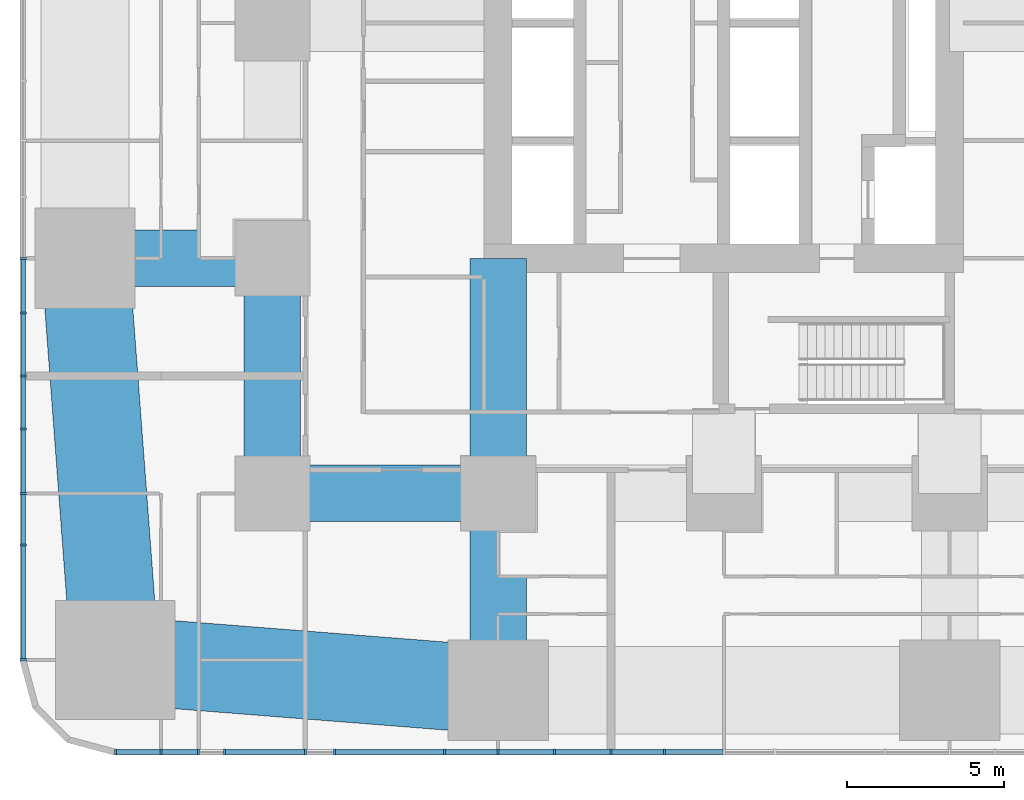
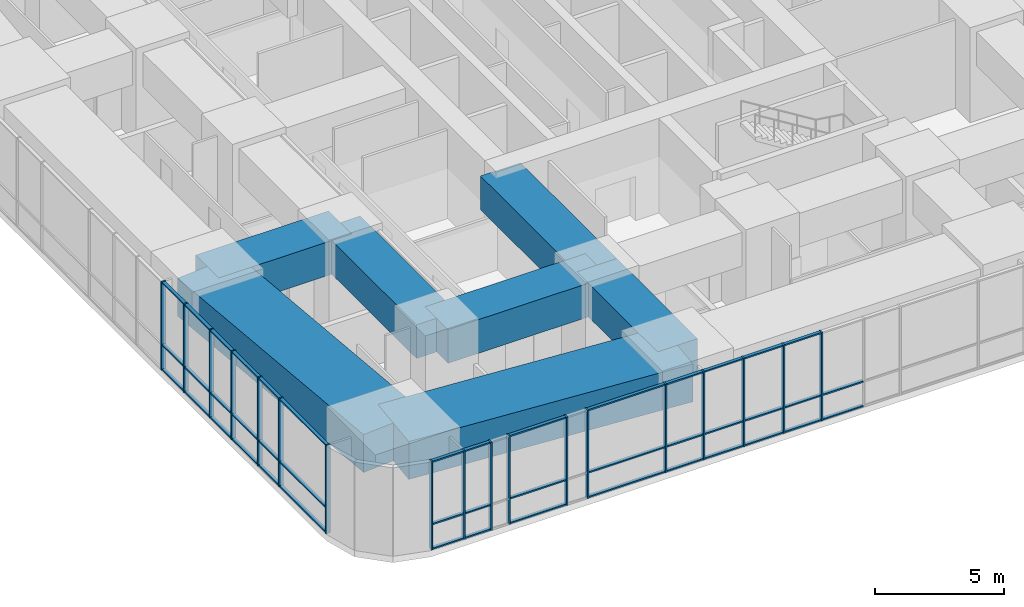
# One storey, part 2 of 22: 62 members, 7 beams, 2 elements without a shape of their own.
"""IFC4 building model written with IfcOpenShell, lengths in metres."""

from ifc_helpers import new_model, si_unit, direction, frame, origin, origin_2d, place, context, subcontext, project, spatial, rectangle, extrude, material, material_profile, profile_set, type_object, element, aggregate, save


model = new_model("IFC4")

# Units and contexts
model_context = context("Model", 3, precision=1e-05, world=origin(), true_north=direction((0.0, 1.0)))
body_context = subcontext(model_context, "Body", "Model", "MODEL_VIEW")
ifc_project = project(units=[si_unit("LENGTHUNIT", "METRE"), si_unit("AREAUNIT", "SQUARE_METRE"), si_unit("VOLUMEUNIT", "CUBIC_METRE"), si_unit("PLANEANGLEUNIT", "RADIAN"), si_unit("MASSUNIT", "GRAM", prefix="KILO")], contexts=[model_context])

# Site, building, storey
site_placement = place(None, origin())
site = spatial("IfcSite", under=ifc_project, at=site_placement, CompositionType="ELEMENT")
building_placement = place(site_placement, origin())
building = spatial("IfcBuilding", under=site, at=building_placement, Name="Sheger Commons Tower", CompositionType="ELEMENT")
storey_placement = place(building_placement, frame((0.0, 0.0, 10.10009765625)))
storey = spatial("IfcBuildingStorey", under=building, at=storey_placement, Name="L02", CompositionType="ELEMENT", Elevation=10.10009765625)

# Beams
ifc_material_1 = material(Name="Concrete C50/60", Category="concrete")
ifc_material_profile_1 = material_profile(ifc_material_1, rectangle(XDim=1.800048828125, YDim=1.60009765625, at=origin_2d()), Name="RC 1800x1600")
ifc_profile_set_1 = profile_set([ifc_material_profile_1], Name="Concrete C50/60")
beam_type_1 = type_object("IfcBeamType", Name="BEAM RC 1800x1600", PredefinedType="BEAM", material=ifc_profile_set_1)
beam_1_placement = place(storey_placement, frame((7.199951171875, 7.5, 3.39990234375), z_axis=(1.0, 0.0, 0.0), x_axis=(0.0, 1.0, 0.0)))
element("IfcBeam", 1, at=beam_1_placement, inside=storey, type_object=beam_type_1, Name="Beam 2/B-3/B under L03", PredefinedType="BEAM", context=body_context, shape_type="SweptSolid", body=[
    extrude(rectangle(XDim=1.800048828125, YDim=1.60009765625, at=origin_2d()), origin(), (0.0, 0.0, 1.0), 7.199951171875),
])
beam_2_placement = place(storey_placement, frame((1.22509765625, 15.0, 3.39990234375), z_axis=(1.0, 0.0, 0.0), x_axis=(0.0, 1.0, 0.0)))
element("IfcBeam", 2, at=beam_2_placement, inside=storey, type_object=beam_type_1, Name="Beam 1/C-2/C under L03", PredefinedType="BEAM", context=body_context, shape_type="SweptSolid", body=[
    extrude(rectangle(XDim=1.800048828125, YDim=1.60009765625, at=origin_2d()), origin(), (0.0, 0.0, 1.0), 5.974853515625),
])
beam_3_placement = place(storey_placement, frame((7.199951171875, 7.5, 3.39990234375), z_axis=(0.0, 1.0, 0.0), x_axis=(-1.0, 0.0, 0.0)))
element("IfcBeam", 3, at=beam_3_placement, inside=storey, type_object=beam_type_1, Name="Beam 2/B-2/C under L03", PredefinedType="BEAM", context=body_context, shape_type="SweptSolid", body=[
    extrude(rectangle(XDim=1.800048828125, YDim=1.60009765625, at=origin_2d()), origin(), (0.0, 0.0, 1.0), 7.5),
])
beam_4_placement = place(storey_placement, frame((14.39990234375, 1.22509765625, 3.39990234375), z_axis=(0.0, 1.0, 0.0), x_axis=(-1.0, 0.0, 0.0)))
element("IfcBeam", 4, at=beam_4_placement, inside=storey, type_object=beam_type_1, Name="Beam 3/A-3/B under L03", PredefinedType="BEAM", context=body_context, shape_type="SweptSolid", body=[
    extrude(rectangle(XDim=1.800048828125, YDim=1.60009765625, at=origin_2d()), origin(), (0.0, 0.0, 1.0), 6.27490234375),
])
beam_5_placement = place(storey_placement, frame((14.39990234375, 7.5, 3.39990234375), z_axis=(0.0, 1.0, 0.0), x_axis=(-1.0, 0.0, 0.0)))
element("IfcBeam", 5, at=beam_5_placement, inside=storey, type_object=beam_type_1, Name="Beam 3/B-3/C under L03", PredefinedType="BEAM", context=body_context, shape_type="SweptSolid", body=[
    extrude(rectangle(XDim=1.800048828125, YDim=1.60009765625, at=origin_2d()), origin(), (0.0, 0.0, 1.0), 7.5),
])

# Curtain wall, members
ifc_material_2 = material(Name="Black aluminium curtain wall, dark tinted glazing", Category="aluminium")
curtain_wall_type = type_object("IfcCurtainWallType", Name="CURTAIN WALL CW2 HEALTH CENTRE", PredefinedType="USERDEFINED", material=ifc_material_2)
curtain_wall_1_placement = place(storey_placement, origin())
curtain_wall_1 = element("IfcCurtainWall", 6, at=curtain_wall_1_placement, inside=storey, type_object=curtain_wall_type, Name="Curtain Wall Cw2 Health Centre S1 L02", ObjectType="STICK CURTAIN WALL", PredefinedType="USERDEFINED")
ifc_material_3 = material(Name="Black anodised aluminium", Category="aluminium")
ifc_material_profile_2 = material_profile(ifc_material_3, rectangle(XDim=0.199951171875, YDim=0.06494140625, at=origin_2d()), Name="AL 65x200")
ifc_profile_set_2 = profile_set([ifc_material_profile_2], Name="Black anodised aluminium")
member_type_1 = type_object("IfcMemberType", Name="MULLION AL 65x200", PredefinedType="MULLION", material=ifc_profile_set_2)
member_1_placement = place(storey_placement, frame((2.195556640625, -0.75, 0.0), z_axis=(0.0, 0.0, 1.0), x_axis=(0.0, 1.0, 0.0)))
member_1 = element("IfcMember", 7, at=member_1_placement, type_object=member_type_1, Name="CW2 mullion 1", PredefinedType="MULLION", context=body_context, shape_type="SweptSolid", body=[
    extrude(rectangle(XDim=0.199951171875, YDim=0.06494140625, at=origin_2d()), origin(), (0.0, 0.0, 1.0), 4.199951171875),
])
member_2_placement = place(storey_placement, frame((3.64990234375, -0.75, 0.0), z_axis=(0.0, 0.0, 1.0), x_axis=(0.0, 1.0, 0.0)))
member_2 = element("IfcMember", 8, at=member_2_placement, type_object=member_type_1, Name="CW2 mullion 2", PredefinedType="MULLION", context=body_context, shape_type="SweptSolid", body=[
    extrude(rectangle(XDim=0.199951171875, YDim=0.06494140625, at=origin_2d()), origin(), (0.0, 0.0, 1.0), 4.199951171875),
])
member_3_placement = place(storey_placement, frame((4.85009765625, -0.75, 0.0), z_axis=(0.0, 0.0, 1.0), x_axis=(0.0, 1.0, 0.0)))
member_3 = element("IfcMember", 9, at=member_3_placement, type_object=member_type_1, Name="CW2 mullion 3", PredefinedType="MULLION", context=body_context, shape_type="SweptSolid", body=[
    extrude(rectangle(XDim=0.199951171875, YDim=0.06494140625, at=origin_2d()), origin(), (0.0, 0.0, 1.0), 4.199951171875),
])
member_4_placement = place(storey_placement, frame((5.673095703125, -0.75, 0.0), z_axis=(0.0, 0.0, 1.0), x_axis=(0.0, 1.0, 0.0)))
member_4 = element("IfcMember", 10, at=member_4_placement, type_object=member_type_1, Name="CW2 mullion 4", PredefinedType="MULLION", context=body_context, shape_type="SweptSolid", body=[
    extrude(rectangle(XDim=0.199951171875, YDim=0.06494140625, at=origin_2d()), origin(), (0.0, 0.0, 1.0), 4.199951171875),
])
member_5_placement = place(storey_placement, frame((8.25, -0.75, 0.0), z_axis=(0.0, 0.0, 1.0), x_axis=(0.0, 1.0, 0.0)))
member_5 = element("IfcMember", 11, at=member_5_placement, type_object=member_type_1, Name="CW2 mullion 5", PredefinedType="MULLION", context=body_context, shape_type="SweptSolid", body=[
    extrude(rectangle(XDim=0.199951171875, YDim=0.06494140625, at=origin_2d()), origin(), (0.0, 0.0, 1.0), 4.199951171875),
])
member_6_placement = place(storey_placement, frame((9.18310546875, -0.75, 0.0), z_axis=(0.0, 0.0, 1.0), x_axis=(0.0, 1.0, 0.0)))
member_6 = element("IfcMember", 12, at=member_6_placement, type_object=member_type_1, Name="CW2 mullion 6", PredefinedType="MULLION", context=body_context, shape_type="SweptSolid", body=[
    extrude(rectangle(XDim=0.199951171875, YDim=0.06494140625, at=origin_2d()), origin(), (0.0, 0.0, 1.0), 4.199951171875),
])
member_7_placement = place(storey_placement, frame((12.693115234375, -0.75, 0.0), z_axis=(0.0, 0.0, 1.0), x_axis=(0.0, 1.0, 0.0)))
member_7 = element("IfcMember", 13, at=member_7_placement, type_object=member_type_1, Name="CW2 mullion 7", PredefinedType="MULLION", context=body_context, shape_type="SweptSolid", body=[
    extrude(rectangle(XDim=0.199951171875, YDim=0.06494140625, at=origin_2d()), origin(), (0.0, 0.0, 1.0), 4.199951171875),
])
member_8_placement = place(storey_placement, frame((14.39990234375, -0.75, 0.0), z_axis=(0.0, 0.0, 1.0), x_axis=(0.0, 1.0, 0.0)))
member_8 = element("IfcMember", 14, at=member_8_placement, type_object=member_type_1, Name="CW2 mullion 8", PredefinedType="MULLION", context=body_context, shape_type="SweptSolid", body=[
    extrude(rectangle(XDim=0.199951171875, YDim=0.06494140625, at=origin_2d()), origin(), (0.0, 0.0, 1.0), 4.199951171875),
])
member_9_placement = place(storey_placement, frame((16.201904296875, -0.75, 0.0), z_axis=(0.0, 0.0, 1.0), x_axis=(0.0, 1.0, 0.0)))
member_9 = element("IfcMember", 15, at=member_9_placement, type_object=member_type_1, Name="CW2 mullion 9", PredefinedType="MULLION", context=body_context, shape_type="SweptSolid", body=[
    extrude(rectangle(XDim=0.199951171875, YDim=0.06494140625, at=origin_2d()), origin(), (0.0, 0.0, 1.0), 4.199951171875),
])
member_10_placement = place(storey_placement, frame((18.0, -0.75, 0.0), z_axis=(0.0, 0.0, 1.0), x_axis=(0.0, 1.0, 0.0)))
member_10 = element("IfcMember", 16, at=member_10_placement, type_object=member_type_1, Name="CW2 mullion 10", PredefinedType="MULLION", context=body_context, shape_type="SweptSolid", body=[
    extrude(rectangle(XDim=0.199951171875, YDim=0.06494140625, at=origin_2d()), origin(), (0.0, 0.0, 1.0), 4.199951171875),
])
member_11_placement = place(storey_placement, frame((19.7119140625, -0.75, 0.0), z_axis=(0.0, 0.0, 1.0), x_axis=(0.0, 1.0, 0.0)))
member_11 = element("IfcMember", 17, at=member_11_placement, type_object=member_type_1, Name="CW2 mullion 11", PredefinedType="MULLION", context=body_context, shape_type="SweptSolid", body=[
    extrude(rectangle(XDim=0.199951171875, YDim=0.06494140625, at=origin_2d()), origin(), (0.0, 0.0, 1.0), 4.199951171875),
])

curtain_wall_2_placement = place(storey_placement, origin())
curtain_wall_2 = element("IfcCurtainWall", 18, at=curtain_wall_2_placement, inside=storey, type_object=curtain_wall_type, Name="Curtain Wall Cw2 Health Centre W1 L02", ObjectType="STICK CURTAIN WALL", PredefinedType="USERDEFINED")
member_12_placement = place(storey_placement, frame((-0.75, 15.0, 0.0), z_axis=(0.0, 0.0, 1.0), x_axis=(1.0, 0.0, 0.0)))
member_12 = element("IfcMember", 19, at=member_12_placement, type_object=member_type_1, Name="CW2 mullion 13", PredefinedType="MULLION", context=body_context, shape_type="SweptSolid", body=[
    extrude(rectangle(XDim=0.199951171875, YDim=0.06494140625, at=origin_2d()), origin(), (0.0, 0.0, 1.0), 4.199951171875),
])
member_13_placement = place(storey_placement, frame((-0.75, 13.256103515625, 0.0), z_axis=(0.0, 0.0, 1.0), x_axis=(1.0, 0.0, 0.0)))
member_13 = element("IfcMember", 20, at=member_13_placement, type_object=member_type_1, Name="CW2 mullion 14", PredefinedType="MULLION", context=body_context, shape_type="SweptSolid", body=[
    extrude(rectangle(XDim=0.199951171875, YDim=0.06494140625, at=origin_2d()), origin(), (0.0, 0.0, 1.0), 4.199951171875),
])
member_14_placement = place(storey_placement, frame((-0.75, 11.25, 0.0), z_axis=(0.0, 0.0, 1.0), x_axis=(1.0, 0.0, 0.0)))
member_14 = element("IfcMember", 21, at=member_14_placement, type_object=member_type_1, Name="CW2 mullion 15", PredefinedType="MULLION", context=body_context, shape_type="SweptSolid", body=[
    extrude(rectangle(XDim=0.199951171875, YDim=0.06494140625, at=origin_2d()), origin(), (0.0, 0.0, 1.0), 4.199951171875),
])
member_15_placement = place(storey_placement, frame((-0.75, 9.55810546875, 0.0), z_axis=(0.0, 0.0, 1.0), x_axis=(1.0, 0.0, 0.0)))
member_15 = element("IfcMember", 22, at=member_15_placement, type_object=member_type_1, Name="CW2 mullion 16", PredefinedType="MULLION", context=body_context, shape_type="SweptSolid", body=[
    extrude(rectangle(XDim=0.199951171875, YDim=0.06494140625, at=origin_2d()), origin(), (0.0, 0.0, 1.0), 4.199951171875),
])
member_16_placement = place(storey_placement, frame((-0.75, 7.5, 0.0), z_axis=(0.0, 0.0, 1.0), x_axis=(1.0, 0.0, 0.0)))
member_16 = element("IfcMember", 23, at=member_16_placement, type_object=member_type_1, Name="CW2 mullion 17", PredefinedType="MULLION", context=body_context, shape_type="SweptSolid", body=[
    extrude(rectangle(XDim=0.199951171875, YDim=0.06494140625, at=origin_2d()), origin(), (0.0, 0.0, 1.0), 4.199951171875),
])
member_17_placement = place(storey_placement, frame((-0.75, 5.861083984375, 0.0), z_axis=(0.0, 0.0, 1.0), x_axis=(1.0, 0.0, 0.0)))
member_17 = element("IfcMember", 24, at=member_17_placement, type_object=member_type_1, Name="CW2 mullion 18", PredefinedType="MULLION", context=body_context, shape_type="SweptSolid", body=[
    extrude(rectangle(XDim=0.199951171875, YDim=0.06494140625, at=origin_2d()), origin(), (0.0, 0.0, 1.0), 4.199951171875),
])
member_18_placement = place(storey_placement, frame((-0.75, 2.195556640625, 0.0), z_axis=(0.0, 0.0, 1.0), x_axis=(1.0, 0.0, 0.0)))
member_18 = element("IfcMember", 25, at=member_18_placement, type_object=member_type_1, Name="CW2 mullion 19", PredefinedType="MULLION", context=body_context, shape_type="SweptSolid", body=[
    extrude(rectangle(XDim=0.199951171875, YDim=0.06494140625, at=origin_2d()), origin(), (0.0, 0.0, 1.0), 4.199951171875),
])

# Beams
ifc_material_4 = material(Name="Concrete C50/60", Category="concrete")
ifc_material_profile_3 = material_profile(ifc_material_4, rectangle(XDim=2.800048828125, YDim=1.800048828125, at=origin_2d()), Name="RC 2800x1800")
ifc_profile_set_3 = profile_set([ifc_material_profile_3], Name="Concrete C50/60")
beam_type_2 = type_object("IfcBeamType", Name="SPANDREL RC 2800x1800", PredefinedType="SPANDREL", material=ifc_profile_set_3)
beam_6_placement = place(storey_placement, frame((2.18603515625, 2.18603515625, 3.2998046875), z_axis=(0.996919342492, -0.078433567843, 0.0), x_axis=(0.078433567843, 0.996919342492, 0.0)))
element("IfcBeam", 26, at=beam_6_placement, inside=storey, type_object=beam_type_2, Name="Beam 0.630,0.630-3/A under L03", PredefinedType="SPANDREL", context=body_context, shape_type="SweptSolid", body=[
    extrude(rectangle(XDim=2.800048828125, YDim=1.800048828125, at=origin_2d()), origin(), (0.0, 0.0, 1.0), 12.251708984375),
])
beam_7_placement = place(storey_placement, frame((1.22509765625, 15.0, 3.2998046875), z_axis=(0.074781446354, -0.997199947494, 0.0), x_axis=(0.997199947494, 0.074781446354, 0.0)))
element("IfcBeam", 27, at=beam_7_placement, inside=storey, type_object=beam_type_2, Name="Beam 1/C-0.630,0.630 under L03", PredefinedType="SPANDREL", context=body_context, shape_type="SweptSolid", body=[
    extrude(rectangle(XDim=2.800048828125, YDim=1.800048828125, at=origin_2d()), origin(), (0.0, 0.0, 1.0), 12.849853515625),
])

# Member
ifc_material_5 = material(Name="Black anodised aluminium", Category="aluminium")
ifc_material_profile_4 = material_profile(ifc_material_5, rectangle(XDim=0.14990234375, YDim=0.06494140625, at=origin_2d()), Name="AL 65x150")
ifc_profile_set_4 = profile_set([ifc_material_profile_4], Name="Black anodised aluminium")
member_type_2 = type_object("IfcMemberType", Name="TRANSOM AL 65x150", PredefinedType="USERDEFINED", material=ifc_profile_set_4)
member_19_placement = place(storey_placement, frame((2.22802734375, -0.75, 0.032470703125), z_axis=(1.0, 0.0, 0.0), x_axis=(0.0, 1.0, 0.0)))
member_19 = element("IfcMember", 28, at=member_19_placement, type_object=member_type_2, Name="CW2 transom 1.1", ObjectType="TRANSOM", PredefinedType="USERDEFINED", context=body_context, shape_type="SweptSolid", body=[
    extrude(rectangle(XDim=0.14990234375, YDim=0.06494140625, at=origin_2d()), origin(), (0.0, 0.0, 1.0), 1.389404296875),
])

member_20_placement = place(storey_placement, frame((2.22802734375, -0.75, 1.199951171875), z_axis=(1.0, 0.0, 0.0), x_axis=(0.0, 1.0, 0.0)))
member_20 = element("IfcMember", 29, at=member_20_placement, type_object=member_type_2, Name="CW2 transom 1.2", ObjectType="TRANSOM", PredefinedType="USERDEFINED", context=body_context, shape_type="SweptSolid", body=[
    extrude(rectangle(XDim=0.14990234375, YDim=0.06494140625, at=origin_2d()), origin(), (0.0, 0.0, 1.0), 1.389404296875),
])

member_21_placement = place(storey_placement, frame((2.22802734375, -0.75, 4.16748046875), z_axis=(1.0, 0.0, 0.0), x_axis=(0.0, 1.0, 0.0)))
member_21 = element("IfcMember", 30, at=member_21_placement, type_object=member_type_2, Name="CW2 transom 1.3", ObjectType="TRANSOM", PredefinedType="USERDEFINED", context=body_context, shape_type="SweptSolid", body=[
    extrude(rectangle(XDim=0.14990234375, YDim=0.06494140625, at=origin_2d()), origin(), (0.0, 0.0, 1.0), 1.389404296875),
])

member_22_placement = place(storey_placement, frame((3.6826171875, -0.75, 0.032470703125), z_axis=(1.0, 0.0, 0.0), x_axis=(0.0, 1.0, 0.0)))
member_22 = element("IfcMember", 31, at=member_22_placement, type_object=member_type_2, Name="CW2 transom 2.1", ObjectType="TRANSOM", PredefinedType="USERDEFINED", context=body_context, shape_type="SweptSolid", body=[
    extrude(rectangle(XDim=0.14990234375, YDim=0.06494140625, at=origin_2d()), origin(), (0.0, 0.0, 1.0), 1.134765625),
])

member_23_placement = place(storey_placement, frame((3.6826171875, -0.75, 1.199951171875), z_axis=(1.0, 0.0, 0.0), x_axis=(0.0, 1.0, 0.0)))
member_23 = element("IfcMember", 32, at=member_23_placement, type_object=member_type_2, Name="CW2 transom 2.2", ObjectType="TRANSOM", PredefinedType="USERDEFINED", context=body_context, shape_type="SweptSolid", body=[
    extrude(rectangle(XDim=0.14990234375, YDim=0.06494140625, at=origin_2d()), origin(), (0.0, 0.0, 1.0), 1.134765625),
])

member_24_placement = place(storey_placement, frame((3.6826171875, -0.75, 4.16748046875), z_axis=(1.0, 0.0, 0.0), x_axis=(0.0, 1.0, 0.0)))
member_24 = element("IfcMember", 33, at=member_24_placement, type_object=member_type_2, Name="CW2 transom 2.3", ObjectType="TRANSOM", PredefinedType="USERDEFINED", context=body_context, shape_type="SweptSolid", body=[
    extrude(rectangle(XDim=0.14990234375, YDim=0.06494140625, at=origin_2d()), origin(), (0.0, 0.0, 1.0), 1.134765625),
])

member_25_placement = place(storey_placement, frame((5.70556640625, -0.75, 0.032470703125), z_axis=(1.0, 0.0, 0.0), x_axis=(0.0, 1.0, 0.0)))
member_25 = element("IfcMember", 34, at=member_25_placement, type_object=member_type_2, Name="CW2 transom 4.1", ObjectType="TRANSOM", PredefinedType="USERDEFINED", context=body_context, shape_type="SweptSolid", body=[
    extrude(rectangle(XDim=0.14990234375, YDim=0.06494140625, at=origin_2d()), origin(), (0.0, 0.0, 1.0), 2.511962890625),
])

member_26_placement = place(storey_placement, frame((5.70556640625, -0.75, 1.199951171875), z_axis=(1.0, 0.0, 0.0), x_axis=(0.0, 1.0, 0.0)))
member_26 = element("IfcMember", 35, at=member_26_placement, type_object=member_type_2, Name="CW2 transom 4.2", ObjectType="TRANSOM", PredefinedType="USERDEFINED", context=body_context, shape_type="SweptSolid", body=[
    extrude(rectangle(XDim=0.14990234375, YDim=0.06494140625, at=origin_2d()), origin(), (0.0, 0.0, 1.0), 2.511962890625),
])

member_27_placement = place(storey_placement, frame((5.70556640625, -0.75, 4.16748046875), z_axis=(1.0, 0.0, 0.0), x_axis=(0.0, 1.0, 0.0)))
member_27 = element("IfcMember", 36, at=member_27_placement, type_object=member_type_2, Name="CW2 transom 4.3", ObjectType="TRANSOM", PredefinedType="USERDEFINED", context=body_context, shape_type="SweptSolid", body=[
    extrude(rectangle(XDim=0.14990234375, YDim=0.06494140625, at=origin_2d()), origin(), (0.0, 0.0, 1.0), 2.511962890625),
])

member_28_placement = place(storey_placement, frame((9.215576171875, -0.75, 0.032470703125), z_axis=(1.0, 0.0, 0.0), x_axis=(0.0, 1.0, 0.0)))
member_28 = element("IfcMember", 37, at=member_28_placement, type_object=member_type_2, Name="CW2 transom 6.1", ObjectType="TRANSOM", PredefinedType="USERDEFINED", context=body_context, shape_type="SweptSolid", body=[
    extrude(rectangle(XDim=0.14990234375, YDim=0.06494140625, at=origin_2d()), origin(), (0.0, 0.0, 1.0), 3.44482421875),
])

member_29_placement = place(storey_placement, frame((9.215576171875, -0.75, 1.199951171875), z_axis=(1.0, 0.0, 0.0), x_axis=(0.0, 1.0, 0.0)))
member_29 = element("IfcMember", 38, at=member_29_placement, type_object=member_type_2, Name="CW2 transom 6.2", ObjectType="TRANSOM", PredefinedType="USERDEFINED", context=body_context, shape_type="SweptSolid", body=[
    extrude(rectangle(XDim=0.14990234375, YDim=0.06494140625, at=origin_2d()), origin(), (0.0, 0.0, 1.0), 3.44482421875),
])

member_30_placement = place(storey_placement, frame((9.215576171875, -0.75, 4.16748046875), z_axis=(1.0, 0.0, 0.0), x_axis=(0.0, 1.0, 0.0)))
member_30 = element("IfcMember", 39, at=member_30_placement, type_object=member_type_2, Name="CW2 transom 6.3", ObjectType="TRANSOM", PredefinedType="USERDEFINED", context=body_context, shape_type="SweptSolid", body=[
    extrude(rectangle(XDim=0.14990234375, YDim=0.06494140625, at=origin_2d()), origin(), (0.0, 0.0, 1.0), 3.44482421875),
])

member_31_placement = place(storey_placement, frame((12.7255859375, -0.75, 0.032470703125), z_axis=(1.0, 0.0, 0.0), x_axis=(0.0, 1.0, 0.0)))
member_31 = element("IfcMember", 40, at=member_31_placement, type_object=member_type_2, Name="CW2 transom 7.1", ObjectType="TRANSOM", PredefinedType="USERDEFINED", context=body_context, shape_type="SweptSolid", body=[
    extrude(rectangle(XDim=0.14990234375, YDim=0.06494140625, at=origin_2d()), origin(), (0.0, 0.0, 1.0), 1.641845703125),
])

member_32_placement = place(storey_placement, frame((12.7255859375, -0.75, 1.199951171875), z_axis=(1.0, 0.0, 0.0), x_axis=(0.0, 1.0, 0.0)))
member_32 = element("IfcMember", 41, at=member_32_placement, type_object=member_type_2, Name="CW2 transom 7.2", ObjectType="TRANSOM", PredefinedType="USERDEFINED", context=body_context, shape_type="SweptSolid", body=[
    extrude(rectangle(XDim=0.14990234375, YDim=0.06494140625, at=origin_2d()), origin(), (0.0, 0.0, 1.0), 1.641845703125),
])

member_33_placement = place(storey_placement, frame((12.7255859375, -0.75, 4.16748046875), z_axis=(1.0, 0.0, 0.0), x_axis=(0.0, 1.0, 0.0)))
member_33 = element("IfcMember", 42, at=member_33_placement, type_object=member_type_2, Name="CW2 transom 7.3", ObjectType="TRANSOM", PredefinedType="USERDEFINED", context=body_context, shape_type="SweptSolid", body=[
    extrude(rectangle(XDim=0.14990234375, YDim=0.06494140625, at=origin_2d()), origin(), (0.0, 0.0, 1.0), 1.641845703125),
])

member_34_placement = place(storey_placement, frame((14.4326171875, -0.75, 0.032470703125), z_axis=(1.0, 0.0, 0.0), x_axis=(0.0, 1.0, 0.0)))
member_34 = element("IfcMember", 43, at=member_34_placement, type_object=member_type_2, Name="CW2 transom 8.1", ObjectType="TRANSOM", PredefinedType="USERDEFINED", context=body_context, shape_type="SweptSolid", body=[
    extrude(rectangle(XDim=0.14990234375, YDim=0.06494140625, at=origin_2d()), origin(), (0.0, 0.0, 1.0), 1.73681640625),
])

member_35_placement = place(storey_placement, frame((14.4326171875, -0.75, 1.199951171875), z_axis=(1.0, 0.0, 0.0), x_axis=(0.0, 1.0, 0.0)))
member_35 = element("IfcMember", 44, at=member_35_placement, type_object=member_type_2, Name="CW2 transom 8.2", ObjectType="TRANSOM", PredefinedType="USERDEFINED", context=body_context, shape_type="SweptSolid", body=[
    extrude(rectangle(XDim=0.14990234375, YDim=0.06494140625, at=origin_2d()), origin(), (0.0, 0.0, 1.0), 1.73681640625),
])

member_36_placement = place(storey_placement, frame((14.4326171875, -0.75, 4.16748046875), z_axis=(1.0, 0.0, 0.0), x_axis=(0.0, 1.0, 0.0)))
member_36 = element("IfcMember", 45, at=member_36_placement, type_object=member_type_2, Name="CW2 transom 8.3", ObjectType="TRANSOM", PredefinedType="USERDEFINED", context=body_context, shape_type="SweptSolid", body=[
    extrude(rectangle(XDim=0.14990234375, YDim=0.06494140625, at=origin_2d()), origin(), (0.0, 0.0, 1.0), 1.73681640625),
])

member_37_placement = place(storey_placement, frame((16.234619140625, -0.75, 0.032470703125), z_axis=(1.0, 0.0, 0.0), x_axis=(0.0, 1.0, 0.0)))
member_37 = element("IfcMember", 46, at=member_37_placement, type_object=member_type_2, Name="CW2 transom 9.1", ObjectType="TRANSOM", PredefinedType="USERDEFINED", context=body_context, shape_type="SweptSolid", body=[
    extrude(rectangle(XDim=0.14990234375, YDim=0.06494140625, at=origin_2d()), origin(), (0.0, 0.0, 1.0), 1.73291015625),
])

member_38_placement = place(storey_placement, frame((16.234619140625, -0.75, 1.199951171875), z_axis=(1.0, 0.0, 0.0), x_axis=(0.0, 1.0, 0.0)))
member_38 = element("IfcMember", 47, at=member_38_placement, type_object=member_type_2, Name="CW2 transom 9.2", ObjectType="TRANSOM", PredefinedType="USERDEFINED", context=body_context, shape_type="SweptSolid", body=[
    extrude(rectangle(XDim=0.14990234375, YDim=0.06494140625, at=origin_2d()), origin(), (0.0, 0.0, 1.0), 1.73291015625),
])

member_39_placement = place(storey_placement, frame((16.234619140625, -0.75, 4.16748046875), z_axis=(1.0, 0.0, 0.0), x_axis=(0.0, 1.0, 0.0)))
member_39 = element("IfcMember", 48, at=member_39_placement, type_object=member_type_2, Name="CW2 transom 9.3", ObjectType="TRANSOM", PredefinedType="USERDEFINED", context=body_context, shape_type="SweptSolid", body=[
    extrude(rectangle(XDim=0.14990234375, YDim=0.06494140625, at=origin_2d()), origin(), (0.0, 0.0, 1.0), 1.73291015625),
])

member_40_placement = place(storey_placement, frame((18.032470703125, -0.75, 0.032470703125), z_axis=(1.0, 0.0, 0.0), x_axis=(0.0, 1.0, 0.0)))
member_40 = element("IfcMember", 49, at=member_40_placement, type_object=member_type_2, Name="CW2 transom 10.1", ObjectType="TRANSOM", PredefinedType="USERDEFINED", context=body_context, shape_type="SweptSolid", body=[
    extrude(rectangle(XDim=0.14990234375, YDim=0.06494140625, at=origin_2d()), origin(), (0.0, 0.0, 1.0), 1.64697265625),
])

member_41_placement = place(storey_placement, frame((18.032470703125, -0.75, 1.199951171875), z_axis=(1.0, 0.0, 0.0), x_axis=(0.0, 1.0, 0.0)))
member_41 = element("IfcMember", 50, at=member_41_placement, type_object=member_type_2, Name="CW2 transom 10.2", ObjectType="TRANSOM", PredefinedType="USERDEFINED", context=body_context, shape_type="SweptSolid", body=[
    extrude(rectangle(XDim=0.14990234375, YDim=0.06494140625, at=origin_2d()), origin(), (0.0, 0.0, 1.0), 1.64697265625),
])

member_42_placement = place(storey_placement, frame((18.032470703125, -0.75, 4.16748046875), z_axis=(1.0, 0.0, 0.0), x_axis=(0.0, 1.0, 0.0)))
member_42 = element("IfcMember", 51, at=member_42_placement, type_object=member_type_2, Name="CW2 transom 10.3", ObjectType="TRANSOM", PredefinedType="USERDEFINED", context=body_context, shape_type="SweptSolid", body=[
    extrude(rectangle(XDim=0.14990234375, YDim=0.06494140625, at=origin_2d()), origin(), (0.0, 0.0, 1.0), 1.64697265625),
])

member_43_placement = place(storey_placement, frame((19.744384765625, -0.75, 0.032470703125), z_axis=(1.0, 0.0, 0.0), x_axis=(0.0, 1.0, 0.0)))
member_43 = element("IfcMember", 52, at=member_43_placement, type_object=member_type_2, Name="CW2 transom 11.1", ObjectType="TRANSOM", PredefinedType="USERDEFINED", context=body_context, shape_type="SweptSolid", body=[
    extrude(rectangle(XDim=0.14990234375, YDim=0.06494140625, at=origin_2d()), origin(), (0.0, 0.0, 1.0), 1.822998046875),
])

member_44_placement = place(storey_placement, frame((19.744384765625, -0.75, 1.199951171875), z_axis=(1.0, 0.0, 0.0), x_axis=(0.0, 1.0, 0.0)))
member_44 = element("IfcMember", 53, at=member_44_placement, type_object=member_type_2, Name="CW2 transom 11.2", ObjectType="TRANSOM", PredefinedType="USERDEFINED", context=body_context, shape_type="SweptSolid", body=[
    extrude(rectangle(XDim=0.14990234375, YDim=0.06494140625, at=origin_2d()), origin(), (0.0, 0.0, 1.0), 1.822998046875),
])

aggregate(curtain_wall_1, [member_1, member_2, member_3, member_4, member_5, member_6, member_7, member_8, member_9, member_10, member_11, member_19, member_20, member_21, member_22, member_23, member_24, member_25, member_26, member_27, member_28, member_29, member_30, member_31, member_32, member_33, member_34, member_35, member_36, member_37, member_38, member_39, member_40, member_41, member_42, member_43, member_44])

member_45_placement = place(storey_placement, frame((-0.75, 14.967529296875, 0.032470703125), z_axis=(0.0, -1.0, 0.0), x_axis=(1.0, 0.0, 0.0)))
member_45 = element("IfcMember", 54, at=member_45_placement, type_object=member_type_2, Name="CW2 transom 13.1", ObjectType="TRANSOM", PredefinedType="USERDEFINED", context=body_context, shape_type="SweptSolid", body=[
    extrude(rectangle(XDim=0.14990234375, YDim=0.06494140625, at=origin_2d()), origin(), (0.0, 0.0, 1.0), 1.678955078125),
])

member_46_placement = place(storey_placement, frame((-0.75, 14.967529296875, 1.199951171875), z_axis=(0.0, -1.0, 0.0), x_axis=(1.0, 0.0, 0.0)))
member_46 = element("IfcMember", 55, at=member_46_placement, type_object=member_type_2, Name="CW2 transom 13.2", ObjectType="TRANSOM", PredefinedType="USERDEFINED", context=body_context, shape_type="SweptSolid", body=[
    extrude(rectangle(XDim=0.14990234375, YDim=0.06494140625, at=origin_2d()), origin(), (0.0, 0.0, 1.0), 1.678955078125),
])

member_47_placement = place(storey_placement, frame((-0.75, 14.967529296875, 4.16748046875), z_axis=(0.0, -1.0, 0.0), x_axis=(1.0, 0.0, 0.0)))
member_47 = element("IfcMember", 56, at=member_47_placement, type_object=member_type_2, Name="CW2 transom 13.3", ObjectType="TRANSOM", PredefinedType="USERDEFINED", context=body_context, shape_type="SweptSolid", body=[
    extrude(rectangle(XDim=0.14990234375, YDim=0.06494140625, at=origin_2d()), origin(), (0.0, 0.0, 1.0), 1.678955078125),
])

member_48_placement = place(storey_placement, frame((-0.75, 13.223388671875, 0.032470703125), z_axis=(0.0, -1.0, 0.0), x_axis=(1.0, 0.0, 0.0)))
member_48 = element("IfcMember", 57, at=member_48_placement, type_object=member_type_2, Name="CW2 transom 14.1", ObjectType="TRANSOM", PredefinedType="USERDEFINED", context=body_context, shape_type="SweptSolid", body=[
    extrude(rectangle(XDim=0.14990234375, YDim=0.06494140625, at=origin_2d()), origin(), (0.0, 0.0, 1.0), 1.94091796875),
])

member_49_placement = place(storey_placement, frame((-0.75, 13.223388671875, 1.199951171875), z_axis=(0.0, -1.0, 0.0), x_axis=(1.0, 0.0, 0.0)))
member_49 = element("IfcMember", 58, at=member_49_placement, type_object=member_type_2, Name="CW2 transom 14.2", ObjectType="TRANSOM", PredefinedType="USERDEFINED", context=body_context, shape_type="SweptSolid", body=[
    extrude(rectangle(XDim=0.14990234375, YDim=0.06494140625, at=origin_2d()), origin(), (0.0, 0.0, 1.0), 1.94091796875),
])

member_50_placement = place(storey_placement, frame((-0.75, 13.223388671875, 4.16748046875), z_axis=(0.0, -1.0, 0.0), x_axis=(1.0, 0.0, 0.0)))
member_50 = element("IfcMember", 59, at=member_50_placement, type_object=member_type_2, Name="CW2 transom 14.3", ObjectType="TRANSOM", PredefinedType="USERDEFINED", context=body_context, shape_type="SweptSolid", body=[
    extrude(rectangle(XDim=0.14990234375, YDim=0.06494140625, at=origin_2d()), origin(), (0.0, 0.0, 1.0), 1.94091796875),
])

member_51_placement = place(storey_placement, frame((-0.75, 11.217529296875, 0.032470703125), z_axis=(0.0, -1.0, 0.0), x_axis=(1.0, 0.0, 0.0)))
member_51 = element("IfcMember", 60, at=member_51_placement, type_object=member_type_2, Name="CW2 transom 15.1", ObjectType="TRANSOM", PredefinedType="USERDEFINED", context=body_context, shape_type="SweptSolid", body=[
    extrude(rectangle(XDim=0.14990234375, YDim=0.06494140625, at=origin_2d()), origin(), (0.0, 0.0, 1.0), 1.626953125),
])

member_52_placement = place(storey_placement, frame((-0.75, 11.217529296875, 1.199951171875), z_axis=(0.0, -1.0, 0.0), x_axis=(1.0, 0.0, 0.0)))
member_52 = element("IfcMember", 61, at=member_52_placement, type_object=member_type_2, Name="CW2 transom 15.2", ObjectType="TRANSOM", PredefinedType="USERDEFINED", context=body_context, shape_type="SweptSolid", body=[
    extrude(rectangle(XDim=0.14990234375, YDim=0.06494140625, at=origin_2d()), origin(), (0.0, 0.0, 1.0), 1.626953125),
])

member_53_placement = place(storey_placement, frame((-0.75, 11.217529296875, 4.16748046875), z_axis=(0.0, -1.0, 0.0), x_axis=(1.0, 0.0, 0.0)))
member_53 = element("IfcMember", 62, at=member_53_placement, type_object=member_type_2, Name="CW2 transom 15.3", ObjectType="TRANSOM", PredefinedType="USERDEFINED", context=body_context, shape_type="SweptSolid", body=[
    extrude(rectangle(XDim=0.14990234375, YDim=0.06494140625, at=origin_2d()), origin(), (0.0, 0.0, 1.0), 1.626953125),
])

member_54_placement = place(storey_placement, frame((-0.75, 9.525390625, 0.032470703125), z_axis=(0.0, -1.0, 0.0), x_axis=(1.0, 0.0, 0.0)))
member_54 = element("IfcMember", 63, at=member_54_placement, type_object=member_type_2, Name="CW2 transom 16.1", ObjectType="TRANSOM", PredefinedType="USERDEFINED", context=body_context, shape_type="SweptSolid", body=[
    extrude(rectangle(XDim=0.14990234375, YDim=0.06494140625, at=origin_2d()), origin(), (0.0, 0.0, 1.0), 1.992919921875),
])

member_55_placement = place(storey_placement, frame((-0.75, 9.525390625, 1.199951171875), z_axis=(0.0, -1.0, 0.0), x_axis=(1.0, 0.0, 0.0)))
member_55 = element("IfcMember", 64, at=member_55_placement, type_object=member_type_2, Name="CW2 transom 16.2", ObjectType="TRANSOM", PredefinedType="USERDEFINED", context=body_context, shape_type="SweptSolid", body=[
    extrude(rectangle(XDim=0.14990234375, YDim=0.06494140625, at=origin_2d()), origin(), (0.0, 0.0, 1.0), 1.992919921875),
])

member_56_placement = place(storey_placement, frame((-0.75, 9.525390625, 4.16748046875), z_axis=(0.0, -1.0, 0.0), x_axis=(1.0, 0.0, 0.0)))
member_56 = element("IfcMember", 65, at=member_56_placement, type_object=member_type_2, Name="CW2 transom 16.3", ObjectType="TRANSOM", PredefinedType="USERDEFINED", context=body_context, shape_type="SweptSolid", body=[
    extrude(rectangle(XDim=0.14990234375, YDim=0.06494140625, at=origin_2d()), origin(), (0.0, 0.0, 1.0), 1.992919921875),
])

member_57_placement = place(storey_placement, frame((-0.75, 7.467529296875, 0.032470703125), z_axis=(0.0, -1.0, 0.0), x_axis=(1.0, 0.0, 0.0)))
member_57 = element("IfcMember", 66, at=member_57_placement, type_object=member_type_2, Name="CW2 transom 17.1", ObjectType="TRANSOM", PredefinedType="USERDEFINED", context=body_context, shape_type="SweptSolid", body=[
    extrude(rectangle(XDim=0.14990234375, YDim=0.06494140625, at=origin_2d()), origin(), (0.0, 0.0, 1.0), 1.573974609375),
])

member_58_placement = place(storey_placement, frame((-0.75, 7.467529296875, 1.199951171875), z_axis=(0.0, -1.0, 0.0), x_axis=(1.0, 0.0, 0.0)))
member_58 = element("IfcMember", 67, at=member_58_placement, type_object=member_type_2, Name="CW2 transom 17.2", ObjectType="TRANSOM", PredefinedType="USERDEFINED", context=body_context, shape_type="SweptSolid", body=[
    extrude(rectangle(XDim=0.14990234375, YDim=0.06494140625, at=origin_2d()), origin(), (0.0, 0.0, 1.0), 1.573974609375),
])

member_59_placement = place(storey_placement, frame((-0.75, 7.467529296875, 4.16748046875), z_axis=(0.0, -1.0, 0.0), x_axis=(1.0, 0.0, 0.0)))
member_59 = element("IfcMember", 68, at=member_59_placement, type_object=member_type_2, Name="CW2 transom 17.3", ObjectType="TRANSOM", PredefinedType="USERDEFINED", context=body_context, shape_type="SweptSolid", body=[
    extrude(rectangle(XDim=0.14990234375, YDim=0.06494140625, at=origin_2d()), origin(), (0.0, 0.0, 1.0), 1.573974609375),
])

member_60_placement = place(storey_placement, frame((-0.75, 5.82861328125, 0.032470703125), z_axis=(0.0, -1.0, 0.0), x_axis=(1.0, 0.0, 0.0)))
member_60 = element("IfcMember", 69, at=member_60_placement, type_object=member_type_2, Name="CW2 transom 18.1", ObjectType="TRANSOM", PredefinedType="USERDEFINED", context=body_context, shape_type="SweptSolid", body=[
    extrude(rectangle(XDim=0.14990234375, YDim=0.06494140625, at=origin_2d()), origin(), (0.0, 0.0, 1.0), 3.6005859375),
])

member_61_placement = place(storey_placement, frame((-0.75, 5.82861328125, 1.199951171875), z_axis=(0.0, -1.0, 0.0), x_axis=(1.0, 0.0, 0.0)))
member_61 = element("IfcMember", 70, at=member_61_placement, type_object=member_type_2, Name="CW2 transom 18.2", ObjectType="TRANSOM", PredefinedType="USERDEFINED", context=body_context, shape_type="SweptSolid", body=[
    extrude(rectangle(XDim=0.14990234375, YDim=0.06494140625, at=origin_2d()), origin(), (0.0, 0.0, 1.0), 3.6005859375),
])

member_62_placement = place(storey_placement, frame((-0.75, 5.82861328125, 4.16748046875), z_axis=(0.0, -1.0, 0.0), x_axis=(1.0, 0.0, 0.0)))
member_62 = element("IfcMember", 71, at=member_62_placement, type_object=member_type_2, Name="CW2 transom 18.3", ObjectType="TRANSOM", PredefinedType="USERDEFINED", context=body_context, shape_type="SweptSolid", body=[
    extrude(rectangle(XDim=0.14990234375, YDim=0.06494140625, at=origin_2d()), origin(), (0.0, 0.0, 1.0), 3.6005859375),
])

aggregate(curtain_wall_2, [member_12, member_13, member_14, member_15, member_16, member_17, member_18, member_45, member_46, member_47, member_48, member_49, member_50, member_51, member_52, member_53, member_54, member_55, member_56, member_57, member_58, member_59, member_60, member_61, member_62])

save(model, "model.ifc")
